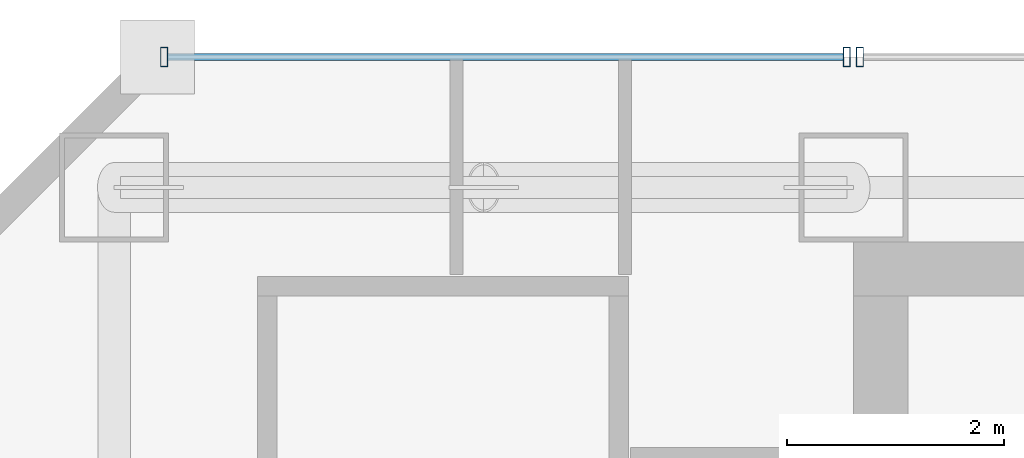
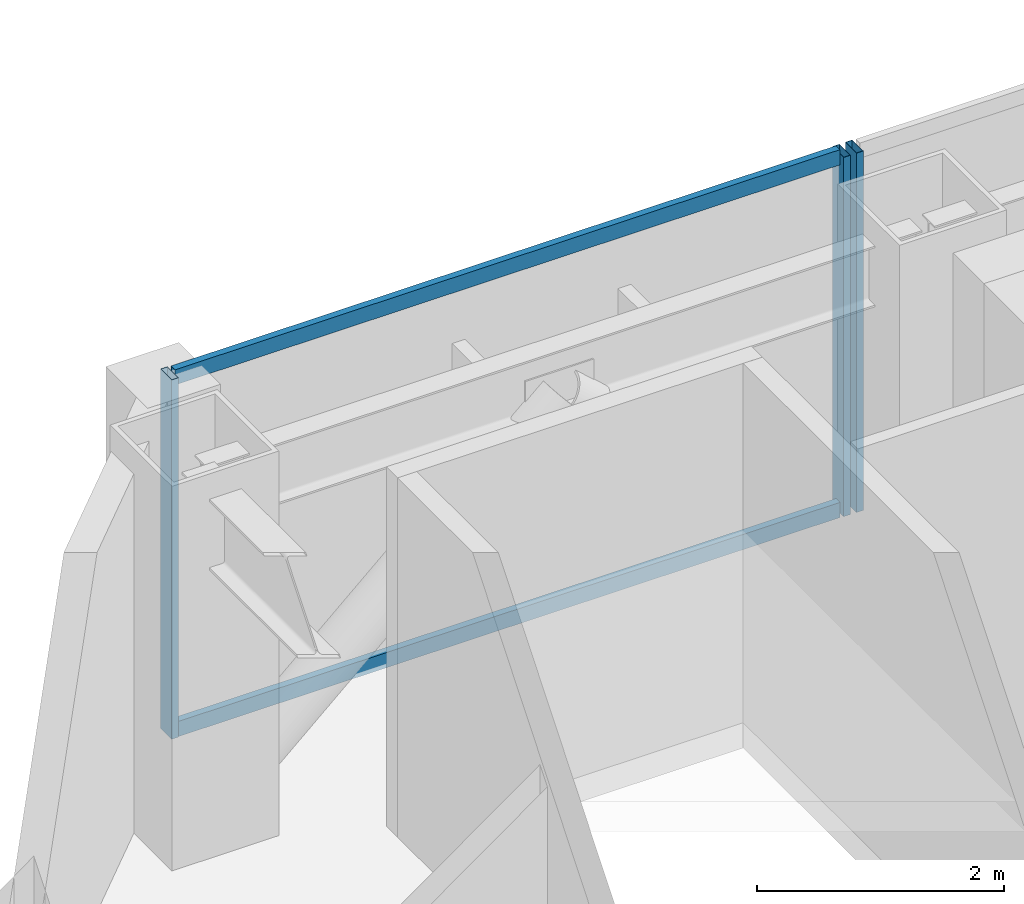
# One storey, part 23 of 38: 5 members, 2 elements without a shape of their own.
"""IFC4 building model written with IfcOpenShell, lengths in metres."""

from ifc_helpers import new_model, si_unit, direction, frame, origin, origin_2d, place, context, subcontext, project, spatial, hollow_rectangle, extrude, material, material_profile, profile_set, type_object, element, aggregate, save


model = new_model("IFC4")

# Units and contexts
model_context = context("Model", 3, precision=1e-05, world=origin(), true_north=direction((0.0, 1.0)))
body_context = subcontext(model_context, "Body", "Model", "MODEL_VIEW")
ifc_project = project(units=[si_unit("LENGTHUNIT", "METRE"), si_unit("AREAUNIT", "SQUARE_METRE"), si_unit("VOLUMEUNIT", "CUBIC_METRE"), si_unit("PLANEANGLEUNIT", "RADIAN"), si_unit("MASSUNIT", "GRAM", prefix="KILO")], contexts=[model_context])

# Site, building, storey
site_placement = place(None, origin())
site = spatial("IfcSite", under=ifc_project, at=site_placement, CompositionType="ELEMENT")
building_placement = place(site_placement, origin())
building = spatial("IfcBuilding", under=site, at=building_placement, Name="Saevonmaru Cultural Tower", CompositionType="ELEMENT")
storey_placement = place(building_placement, frame((0.0, 0.0, 133.39990234375)))
storey = spatial("IfcBuildingStorey", under=building, at=storey_placement, Name="L28", CompositionType="ELEMENT", Elevation=133.39990234375)

# Curtain wall, member
ifc_material = material(Name="Satin Bronze Anodised Aluminium", Category="aluminium")
curtain_wall_type = type_object("IfcCurtainWallType", Name="CW-TYP-A", PredefinedType="NOTDEFINED", material=ifc_material)
curtain_wall_1_placement = place(storey_placement, origin())
curtain_wall_1 = element("IfcCurtainWall", 1, at=curtain_wall_1_placement, inside=storey, type_object=curtain_wall_type, Name="L28 North Spine Unitised Curtain Wall E10B", PredefinedType="NOTDEFINED")
ifc_material_profile_1 = material_profile(ifc_material, hollow_rectangle(XDim=0.06494140625, YDim=0.179931640625, WallThickness=0.00390625, at=origin_2d()), Name="ALU-MULL-180x65x4")
ifc_profile_set_1 = profile_set([ifc_material_profile_1], Name="Satin Bronze Anodised Aluminium")
member_type_1 = type_object("IfcMemberType", Name="ML-CW-180x65", PredefinedType="MULLION", material=ifc_profile_set_1)
member_1_placement = place(storey_placement, frame((13.659912109375, 56.0, 0.0), z_axis=(0.0, 0.0, 1.0), x_axis=(-1.0, 0.0, 0.0)))
member_1 = element("IfcMember", 2, at=member_1_placement, type_object=member_type_1, Name="CW-TW-L28-E10B mullion 4", PredefinedType="MULLION", context=body_context, shape_type="SweptSolid", body=[
    extrude(hollow_rectangle(XDim=0.06494140625, YDim=0.179931640625, WallThickness=0.00390625, at=origin_2d()), origin(), (0.0, 0.0, 1.0), 3.550048828125),
])
aggregate(curtain_wall_1, [member_1])

# Curtain wall, members
curtain_wall_2_placement = place(storey_placement, origin())
curtain_wall_2 = element("IfcCurtainWall", 3, at=curtain_wall_2_placement, inside=storey, type_object=curtain_wall_type, Name="L28 West Braced Bay Spandrel Curtain Wall E10C", PredefinedType="NOTDEFINED")
member_2_placement = place(storey_placement, frame((13.5400390625, 56.0, 0.0), z_axis=(0.0, 0.0, 1.0), x_axis=(-1.0, 0.0, 0.0)))
member_2 = element("IfcMember", 4, at=member_2_placement, type_object=member_type_1, Name="CW-TW-L28-E10C mullion 1", PredefinedType="MULLION", context=body_context, shape_type="SweptSolid", body=[
    extrude(hollow_rectangle(XDim=0.06494140625, YDim=0.179931640625, WallThickness=0.00390625, at=origin_2d()), origin(), (0.0, 0.0, 1.0), 3.550048828125),
])
member_3_placement = place(storey_placement, frame((7.260009765625, 56.0, 0.0), z_axis=(0.0, 0.0, 1.0), x_axis=(-1.0, 0.0, 0.0)))
member_3 = element("IfcMember", 5, at=member_3_placement, type_object=member_type_1, Name="CW-TW-L28-E10C mullion 2", PredefinedType="MULLION", context=body_context, shape_type="SweptSolid", body=[
    extrude(hollow_rectangle(XDim=0.06494140625, YDim=0.179931640625, WallThickness=0.00390625, at=origin_2d()), origin(), (0.0, 0.0, 1.0), 3.550048828125),
])
ifc_material_profile_2 = material_profile(ifc_material, hollow_rectangle(XDim=0.06494140625, YDim=0.14990234375, WallThickness=0.00390625, at=origin_2d()), Name="ALU-TRAN-150x65x4")
ifc_profile_set_2 = profile_set([ifc_material_profile_2], Name="Satin Bronze Anodised Aluminium")
member_type_2 = type_object("IfcMemberType", Name="TR-CW-150x65", PredefinedType="USERDEFINED", material=ifc_profile_set_2)
member_4_placement = place(storey_placement, frame((13.507568359375, 56.0, 0.03271484375), z_axis=(-1.0, 0.0, 0.0), x_axis=(0.0, -1.0, 0.0)))
member_4 = element("IfcMember", 6, at=member_4_placement, type_object=member_type_2, Name="CW-TW-L28-E10C transom 1.1", ObjectType="TRANSOM", PredefinedType="USERDEFINED", context=body_context, shape_type="SweptSolid", body=[
    extrude(hollow_rectangle(XDim=0.06494140625, YDim=0.14990234375, WallThickness=0.00390625, at=origin_2d()), origin(), (0.0, 0.0, 1.0), 6.215087890625),
])
member_5_placement = place(storey_placement, frame((13.507568359375, 56.0, 3.517578125), z_axis=(-1.0, 0.0, 0.0), x_axis=(0.0, -1.0, 0.0)))
member_5 = element("IfcMember", 7, at=member_5_placement, type_object=member_type_2, Name="CW-TW-L28-E10C transom 1.2", ObjectType="TRANSOM", PredefinedType="USERDEFINED", context=body_context, shape_type="SweptSolid", body=[
    extrude(hollow_rectangle(XDim=0.06494140625, YDim=0.14990234375, WallThickness=0.00390625, at=origin_2d()), origin(), (0.0, 0.0, 1.0), 6.215087890625),
])
aggregate(curtain_wall_2, [member_2, member_3, member_4, member_5])

save(model, "model.ifc")
